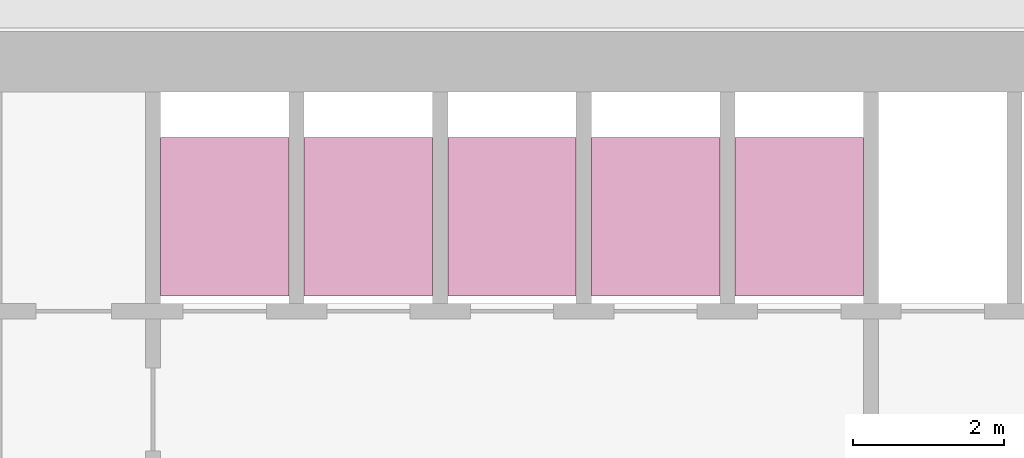
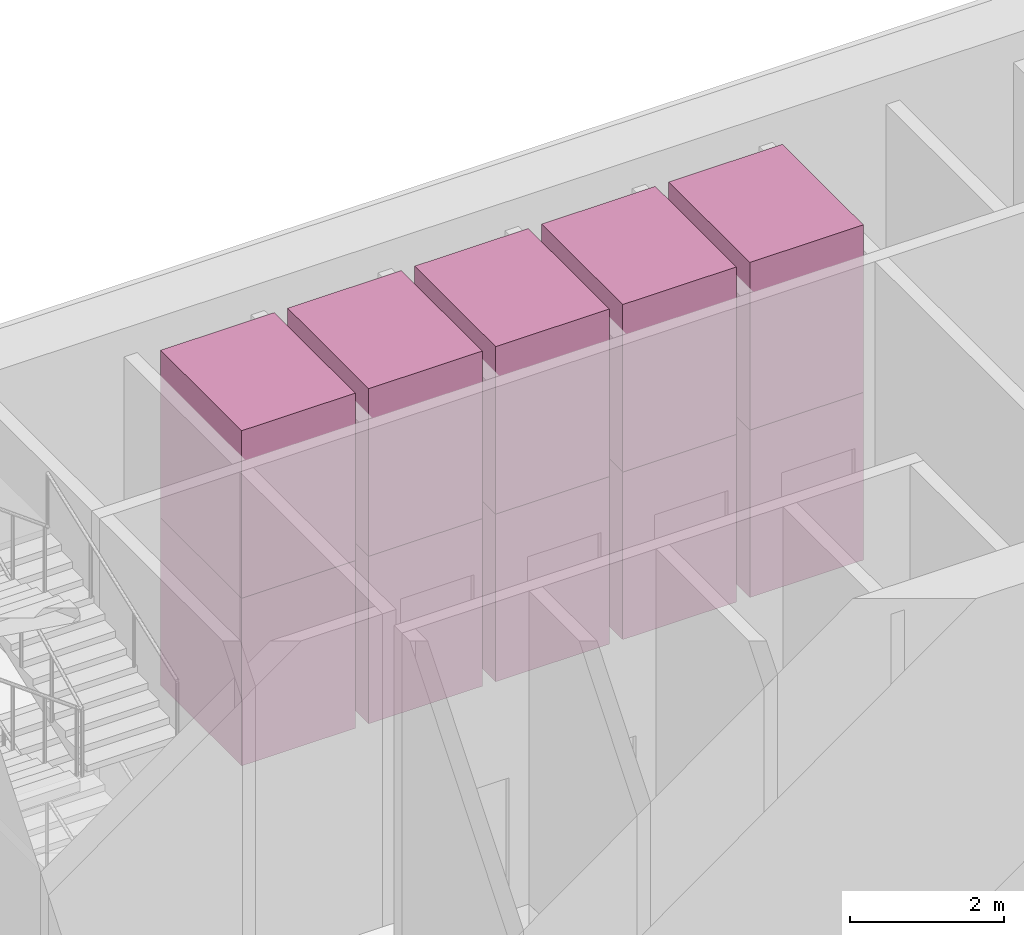
# One storey, part 12 of 12: 10 transport elements.
"""IFC4 building model written with IfcOpenShell, lengths in metres."""

from ifc_helpers import new_model, si_unit, direction, frame, origin, origin_2d, place, context, subcontext, project, spatial, rectangle, extrude, material, type_object, element, save


model = new_model("IFC4")

# Units and contexts
model_context = context("Model", 3, precision=1e-05, world=origin(), true_north=direction((0.0, 1.0)))
body_context = subcontext(model_context, "Body", "Model", "MODEL_VIEW")
ifc_project = project(units=[si_unit("LENGTHUNIT", "METRE"), si_unit("AREAUNIT", "SQUARE_METRE"), si_unit("VOLUMEUNIT", "CUBIC_METRE"), si_unit("PLANEANGLEUNIT", "RADIAN"), si_unit("MASSUNIT", "GRAM", prefix="KILO")], contexts=[model_context])

# Site, building, storey
site_placement = place(None, origin())
site = spatial("IfcSite", under=ifc_project, at=site_placement, CompositionType="ELEMENT")
building_placement = place(site_placement, origin())
building = spatial("IfcBuilding", under=site, at=building_placement, Name="Altiplano Prism Tower", CompositionType="ELEMENT")
storey_placement = place(building_placement, frame((0.0, 0.0, 118.800048828125)))
storey = spatial("IfcBuildingStorey", under=building, at=storey_placement, Name="L30", CompositionType="ELEMENT", Elevation=118.800048828125)

# Transport elements
ifc_material = material(Name="Stainless steel lift car", Category="steel")
transport_element_type = type_object("IfcTransportElementType", Name="Passenger lift car 1600 x 2100", PredefinedType="ELEVATOR", material=ifc_material)
for number, where, z_axis, x_axis, name in (
    (1, (79.050048828125, 101.75, 0.050048828125), (0.0, 0.0, 1.0), (1.0, 0.0, 0.0), "Mid Zone Passenger Lift 1"),
    (2, (79.050048828125, 101.75, 2.699951171875), (0.0, 0.0, 1.0), (1.0, 0.0, 0.0), "Mid Zone Passenger Lift 1"),
    (3, (80.949951171875, 101.75, 0.050048828125), (0.0, 0.0, 1.0), (1.0, 0.0, 0.0), "Mid Zone Passenger Lift 2"),
    (4, (80.949951171875, 101.75, 2.699951171875), (0.0, 0.0, 1.0), (1.0, 0.0, 0.0), "Mid Zone Passenger Lift 2"),
    (5, (82.85009765625, 101.75, 0.050048828125), (0.0, 0.0, 1.0), (1.0, 0.0, 0.0), "Mid Zone Passenger Lift 3"),
    (6, (82.85009765625, 101.75, 2.699951171875), (0.0, 0.0, 1.0), (1.0, 0.0, 0.0), "Mid Zone Passenger Lift 3"),
    (7, (84.75, 101.75, 0.050048828125), (0.0, 0.0, 1.0), (1.0, 0.0, 0.0), "Mid Zone Passenger Lift 4"),
    (8, (84.75, 101.75, 2.699951171875), (0.0, 0.0, 1.0), (1.0, 0.0, 0.0), "Mid Zone Passenger Lift 4"),
    (9, (86.64990234375, 101.75, 0.050048828125), (0.0, 0.0, 1.0), (1.0, 0.0, 0.0), "Mid Zone Passenger Lift 5"),
    (10, (86.64990234375, 101.75, 2.699951171875), (0.0, 0.0, 1.0), (1.0, 0.0, 0.0), "Mid Zone Passenger Lift 5"),
):
    element("IfcTransportElement", number, at=place(storey_placement, frame(where, z_axis=z_axis, x_axis=x_axis)), inside=storey, type_object=transport_element_type, Name=name, PredefinedType="ELEVATOR", context=body_context, shape_type="SweptSolid", body=[
        extrude(rectangle(XDim=1.699951171875, YDim=2.10009765625, at=origin_2d()), origin(), (0.0, 0.0, 1.0), 2.64990234375),
    ])

save(model, "model.ifc")
